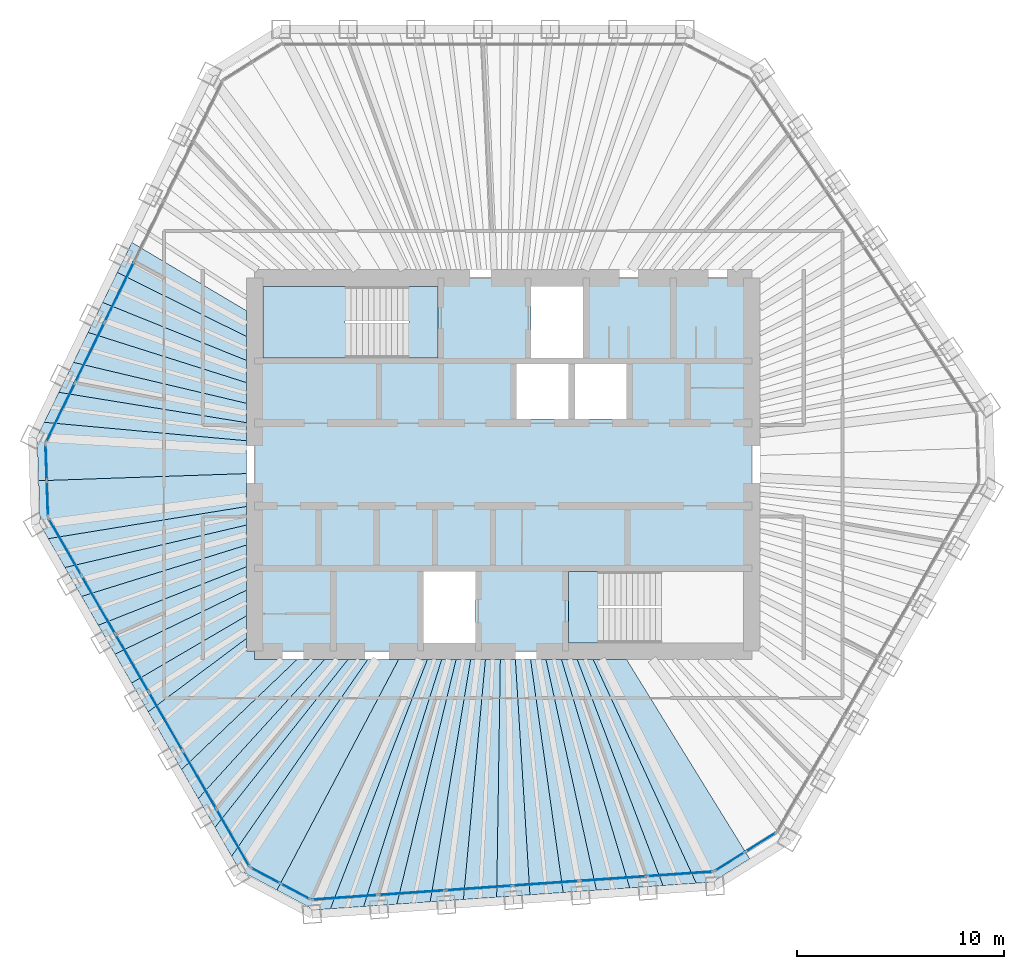
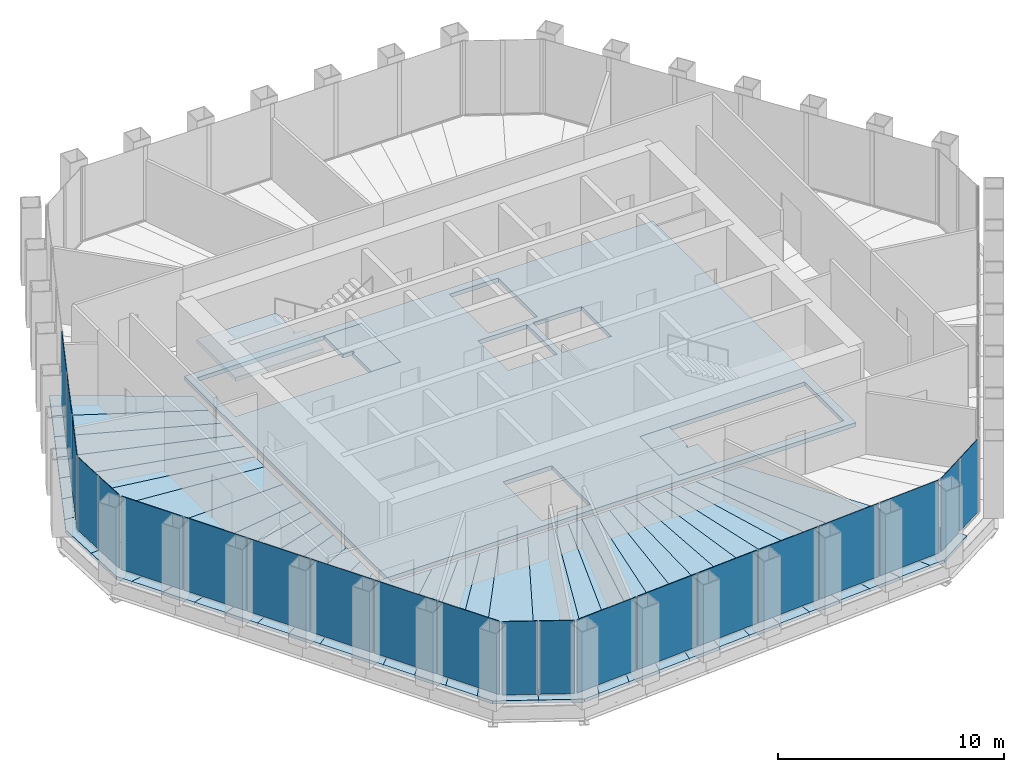
# One storey, part 9 of 14: 36 slabs, 21 plates, 8 elements without a shape of their own.
"""IFC4 building model written with IfcOpenShell, lengths in metres."""

from ifc_helpers import new_model, si_unit, direction, frame, origin, origin_2d, place, context, subcontext, project, spatial, polyline, rectangle, outline, extrude, material, layer, layer_set, type_object, element, aggregate, save


model = new_model("IFC4")

# Units and contexts
model_context = context("Model", 3, precision=1e-05, world=origin(), true_north=direction((0.0, 1.0)))
body_context = subcontext(model_context, "Body", "Model", "MODEL_VIEW")
ifc_project = project(units=[si_unit("LENGTHUNIT", "METRE"), si_unit("AREAUNIT", "SQUARE_METRE"), si_unit("VOLUMEUNIT", "CUBIC_METRE"), si_unit("PLANEANGLEUNIT", "RADIAN"), si_unit("MASSUNIT", "GRAM", prefix="KILO")], contexts=[model_context])

# Site, building, storey
site_placement = place(None, origin())
site = spatial("IfcSite", under=ifc_project, at=site_placement, CompositionType="ELEMENT")
building_placement = place(site_placement, origin())
building = spatial("IfcBuilding", under=site, at=building_placement, Name="Qingtian Harvest Tower", CompositionType="ELEMENT")
storey_placement = place(building_placement, frame((0.0, 0.0, 308.199951171875)))
storey = spatial("IfcBuildingStorey", under=building, at=storey_placement, Name="L68", CompositionType="ELEMENT", Elevation=308.199951171875)

# Slabs
ifc_material_1 = material(Name="Concrete fc' 35 MPa", Category="concrete")
ifc_layer_1 = layer(ifc_material_1, 0.169921875)
ifc_layer_set_1 = layer_set([ifc_layer_1], Name="Composite floor slab FS17 170")
slab_type_1 = type_object("IfcSlabType", Name="Composite floor slab FS17 170", PredefinedType="FLOOR", material=ifc_layer_set_1)
slab_1_placement = place(storey_placement, frame((0.0, 0.0, -0.169921875)))
element("IfcSlab", 1, at=slab_1_placement, inside=storey, type_object=slab_type_1, Name="Floor slab L68 panel D01", PredefinedType="FLOOR", context=body_context, shape_type="SweptSolid", body=[
    extrude(outline(polyline([(-22.422607421875, -0.783203125), (-12.39990234375, -0.436767578125), (-12.39990234375, -2.028564453125), (-21.95751953125, -3.578369140625), (-22.348876953125, -2.90087890625), (-22.422607421875, -0.783203125)])), origin(), (0.0, 0.0, 1.0), 0.169921875),
])
slab_2_placement = place(storey_placement, frame((0.0, 0.0, -0.169921875)))
element("IfcSlab", 2, at=slab_2_placement, inside=storey, type_object=slab_type_1, Name="Floor slab L68 panel D02", PredefinedType="FLOOR", context=body_context, shape_type="SweptSolid", body=[
    extrude(outline(polyline([(-12.39990234375, -2.923095703125), (-21.153076171875, -4.9716796875), (-21.95751953125, -3.578369140625), (-12.39990234375, -2.028564453125), (-12.39990234375, -2.923095703125)])), origin(), (0.0, 0.0, 1.0), 0.169921875),
])
slab_3_placement = place(storey_placement, frame((0.0, 0.0, -0.169921875)))
element("IfcSlab", 3, at=slab_3_placement, inside=storey, type_object=slab_type_1, Name="Floor slab L68 panel D03", PredefinedType="FLOOR", context=body_context, shape_type="SweptSolid", body=[
    extrude(outline(polyline([(-12.39990234375, -3.888427734375), (-20.3486328125, -6.365234375), (-21.153076171875, -4.9716796875), (-12.39990234375, -2.923095703125), (-12.39990234375, -3.888427734375)])), origin(), (0.0, 0.0, 1.0), 0.169921875),
])
slab_4_placement = place(storey_placement, frame((0.0, 0.0, -0.169921875)))
element("IfcSlab", 4, at=slab_4_placement, inside=storey, type_object=slab_type_1, Name="Floor slab L68 panel D04", PredefinedType="FLOOR", context=body_context, shape_type="SweptSolid", body=[
    extrude(outline(polyline([(-12.39990234375, -4.93359375), (-19.544189453125, -7.758544921875), (-20.3486328125, -6.365234375), (-12.39990234375, -3.888427734375), (-12.39990234375, -4.93359375)])), origin(), (0.0, 0.0, 1.0), 0.169921875),
])
slab_5_placement = place(storey_placement, frame((0.0, 0.0, -0.169921875)))
element("IfcSlab", 5, at=slab_5_placement, inside=storey, type_object=slab_type_1, Name="Floor slab L68 panel D05", PredefinedType="FLOOR", context=body_context, shape_type="SweptSolid", body=[
    extrude(outline(polyline([(-12.39990234375, -6.068359375), (-18.73974609375, -9.15185546875), (-19.544189453125, -7.758544921875), (-12.39990234375, -4.93359375), (-12.39990234375, -6.068359375)])), origin(), (0.0, 0.0, 1.0), 0.169921875),
])
slab_6_placement = place(storey_placement, frame((0.0, 0.0, -0.169921875)))
element("IfcSlab", 6, at=slab_6_placement, inside=storey, type_object=slab_type_1, Name="Floor slab L68 panel D06", PredefinedType="FLOOR", context=body_context, shape_type="SweptSolid", body=[
    extrude(outline(polyline([(-12.39990234375, -7.304931640625), (-17.93505859375, -10.54541015625), (-18.73974609375, -9.15185546875), (-12.39990234375, -6.068359375), (-12.39990234375, -7.304931640625)])), origin(), (0.0, 0.0, 1.0), 0.169921875),
])
slab_7_placement = place(storey_placement, frame((0.0, 0.0, -0.169921875)))
element("IfcSlab", 7, at=slab_7_placement, inside=storey, type_object=slab_type_1, Name="Floor slab L68 panel D07", PredefinedType="FLOOR", context=body_context, shape_type="SweptSolid", body=[
    extrude(outline(polyline([(-12.39990234375, -8.400390625), (-17.134033203125, -11.932861328125), (-17.93505859375, -10.54541015625), (-12.39990234375, -7.304931640625), (-12.39990234375, -8.400390625)])), origin(), (0.0, 0.0, 1.0), 0.169921875),
])
slab_8_placement = place(storey_placement, frame((0.0, 0.0, -0.169921875)))
element("IfcSlab", 8, at=slab_8_placement, inside=storey, type_object=slab_type_1, Name="Floor slab L68 panel D09", PredefinedType="FLOOR", context=body_context, shape_type="SweptSolid", body=[
    extrude(outline(polyline([(-15.522216796875, -14.724609375), (-17.134033203125, -11.932861328125), (-12.39990234375, -8.400390625), (-12.39990234375, -9.0), (-12.0, -9.0), (-12.0, -9.39990234375), (-9.943115234375, -9.39990234375), (-15.522216796875, -14.724609375)])), origin(), (0.0, 0.0, 1.0), 0.169921875),
])
slab_9_placement = place(storey_placement, frame((0.0, 0.0, -0.169921875)))
element("IfcSlab", 9, at=slab_9_placement, inside=storey, type_object=slab_type_1, Name="Floor slab L68 panel D10", PredefinedType="FLOOR", context=body_context, shape_type="SweptSolid", body=[
    extrude(outline(polyline([(-8.609130859375, -9.39990234375), (-14.7177734375, -16.1181640625), (-15.522216796875, -14.724609375), (-9.943115234375, -9.39990234375), (-8.609130859375, -9.39990234375)])), origin(), (0.0, 0.0, 1.0), 0.169921875),
])
slab_10_placement = place(storey_placement, frame((0.0, 0.0, -0.169921875)))
element("IfcSlab", 10, at=slab_10_placement, inside=storey, type_object=slab_type_1, Name="Floor slab L68 panel D11", PredefinedType="FLOOR", context=body_context, shape_type="SweptSolid", body=[
    extrude(outline(polyline([(-7.488525390625, -9.39990234375), (-13.9130859375, -17.51171875), (-14.7177734375, -16.1181640625), (-8.609130859375, -9.39990234375), (-7.488525390625, -9.39990234375)])), origin(), (0.0, 0.0, 1.0), 0.169921875),
])
slab_11_placement = place(storey_placement, frame((0.0, 0.0, -0.169921875)))
element("IfcSlab", 11, at=slab_11_placement, inside=storey, type_object=slab_type_1, Name="Floor slab L68 panel D12", PredefinedType="FLOOR", context=body_context, shape_type="SweptSolid", body=[
    extrude(outline(polyline([(-6.533935546875, -9.39990234375), (-13.108642578125, -18.905029296875), (-13.9130859375, -17.51171875), (-7.488525390625, -9.39990234375), (-6.533935546875, -9.39990234375)])), origin(), (0.0, 0.0, 1.0), 0.169921875),
])
slab_12_placement = place(storey_placement, frame((0.0, 0.0, -0.169921875)))
element("IfcSlab", 12, at=slab_12_placement, inside=storey, type_object=slab_type_1, Name="Floor slab L68 panel D13", PredefinedType="FLOOR", context=body_context, shape_type="SweptSolid", body=[
    extrude(outline(polyline([(-6.533935546875, -9.39990234375), (-5.04638671875, -9.39990234375), (-10.921142578125, -20.537841796875), (-12.717529296875, -19.582763671875), (-13.108642578125, -18.905029296875), (-6.533935546875, -9.39990234375)])), origin(), (0.0, 0.0, 1.0), 0.169921875),
])
slab_13_placement = place(storey_placement, frame((0.0, 0.0, -0.169921875)))
element("IfcSlab", 13, at=slab_13_placement, inside=storey, type_object=slab_type_1, Name="Floor slab L68 panel D14", PredefinedType="FLOOR", context=body_context, shape_type="SweptSolid", body=[
    extrude(outline(polyline([(-5.04638671875, -9.39990234375), (-3.656982421875, -9.39990234375), (-8.343017578125, -21.439208984375), (-9.123291015625, -21.49365234375), (-10.921142578125, -20.537841796875), (-5.04638671875, -9.39990234375)])), origin(), (0.0, 0.0, 1.0), 0.169921875),
])
slab_14_placement = place(storey_placement, frame((0.0, 0.0, -0.169921875)))
element("IfcSlab", 14, at=slab_14_placement, inside=storey, type_object=slab_type_1, Name="Floor slab L68 panel D15", PredefinedType="FLOOR", context=body_context, shape_type="SweptSolid", body=[
    extrude(outline(polyline([(-2.968994140625, -9.39990234375), (-6.738037109375, -21.326904296875), (-8.343017578125, -21.439208984375), (-3.656982421875, -9.39990234375), (-2.968994140625, -9.39990234375)])), origin(), (0.0, 0.0, 1.0), 0.169921875),
])
slab_15_placement = place(storey_placement, frame((0.0, 0.0, -0.169921875)))
element("IfcSlab", 15, at=slab_15_placement, inside=storey, type_object=slab_type_1, Name="Floor slab L68 panel D16", PredefinedType="FLOOR", context=body_context, shape_type="SweptSolid", body=[
    extrude(outline(polyline([(-2.2734375, -9.39990234375), (-5.133056640625, -21.21484375), (-6.738037109375, -21.326904296875), (-2.968994140625, -9.39990234375), (-2.2734375, -9.39990234375)])), origin(), (0.0, 0.0, 1.0), 0.169921875),
])
slab_16_placement = place(storey_placement, frame((0.0, 0.0, -0.169921875)))
element("IfcSlab", 16, at=slab_16_placement, inside=storey, type_object=slab_type_1, Name="Floor slab L68 panel D17", PredefinedType="FLOOR", context=body_context, shape_type="SweptSolid", body=[
    extrude(outline(polyline([(-1.570556640625, -9.39990234375), (-3.528076171875, -21.1025390625), (-5.133056640625, -21.21484375), (-2.2734375, -9.39990234375), (-1.570556640625, -9.39990234375)])), origin(), (0.0, 0.0, 1.0), 0.169921875),
])
slab_17_placement = place(storey_placement, frame((0.0, 0.0, -0.169921875)))
element("IfcSlab", 17, at=slab_17_placement, inside=storey, type_object=slab_type_1, Name="Floor slab L68 panel D18", PredefinedType="FLOOR", context=body_context, shape_type="SweptSolid", body=[
    extrude(outline(polyline([(-0.860107421875, -9.39990234375), (-1.9228515625, -20.990234375), (-3.528076171875, -21.1025390625), (-1.570556640625, -9.39990234375), (-0.860107421875, -9.39990234375)])), origin(), (0.0, 0.0, 1.0), 0.169921875),
])
slab_18_placement = place(storey_placement, frame((0.0, 0.0, -0.169921875)))
element("IfcSlab", 18, at=slab_18_placement, inside=storey, type_object=slab_type_1, Name="Floor slab L68 panel D19", PredefinedType="FLOOR", context=body_context, shape_type="SweptSolid", body=[
    extrude(outline(polyline([(-0.14208984375, -9.39990234375), (-0.31787109375, -20.8779296875), (-1.9228515625, -20.990234375), (-0.860107421875, -9.39990234375), (-0.14208984375, -9.39990234375)])), origin(), (0.0, 0.0, 1.0), 0.169921875),
])
slab_19_placement = place(storey_placement, frame((0.0, 0.0, -0.169921875)))
element("IfcSlab", 19, at=slab_19_placement, inside=storey, type_object=slab_type_1, Name="Floor slab L68 panel D20", PredefinedType="FLOOR", context=body_context, shape_type="SweptSolid", body=[
    extrude(outline(polyline([(0.58349609375, -9.39990234375), (1.287109375, -20.765869140625), (-0.31787109375, -20.8779296875), (-0.14208984375, -9.39990234375), (0.58349609375, -9.39990234375)])), origin(), (0.0, 0.0, 1.0), 0.169921875),
])
slab_20_placement = place(storey_placement, frame((0.0, 0.0, -0.169921875)))
element("IfcSlab", 20, at=slab_20_placement, inside=storey, type_object=slab_type_1, Name="Floor slab L68 panel D21", PredefinedType="FLOOR", context=body_context, shape_type="SweptSolid", body=[
    extrude(outline(polyline([(1.3173828125, -9.39990234375), (2.89208984375, -20.653564453125), (1.287109375, -20.765869140625), (0.58349609375, -9.39990234375), (1.3173828125, -9.39990234375)])), origin(), (0.0, 0.0, 1.0), 0.169921875),
])
slab_21_placement = place(storey_placement, frame((0.0, 0.0, -0.169921875)))
element("IfcSlab", 21, at=slab_21_placement, inside=storey, type_object=slab_type_1, Name="Floor slab L68 panel D22", PredefinedType="FLOOR", context=body_context, shape_type="SweptSolid", body=[
    extrude(outline(polyline([(2.058837890625, -9.39990234375), (4.4970703125, -20.541259765625), (2.89208984375, -20.653564453125), (1.3173828125, -9.39990234375), (2.058837890625, -9.39990234375)])), origin(), (0.0, 0.0, 1.0), 0.169921875),
])
slab_22_placement = place(storey_placement, frame((0.0, 0.0, -0.169921875)))
element("IfcSlab", 22, at=slab_22_placement, inside=storey, type_object=slab_type_1, Name="Floor slab L68 panel D23", PredefinedType="FLOOR", context=body_context, shape_type="SweptSolid", body=[
    extrude(outline(polyline([(2.808837890625, -9.39990234375), (6.10205078125, -20.42919921875), (4.4970703125, -20.541259765625), (2.058837890625, -9.39990234375), (2.808837890625, -9.39990234375)])), origin(), (0.0, 0.0, 1.0), 0.169921875),
])
slab_23_placement = place(storey_placement, frame((0.0, 0.0, -0.169921875)))
element("IfcSlab", 23, at=slab_23_placement, inside=storey, type_object=slab_type_1, Name="Floor slab L68 panel D24", PredefinedType="FLOOR", context=body_context, shape_type="SweptSolid", body=[
    extrude(outline(polyline([(3.56689453125, -9.39990234375), (7.70703125, -20.31689453125), (6.10205078125, -20.42919921875), (2.808837890625, -9.39990234375), (3.56689453125, -9.39990234375)])), origin(), (0.0, 0.0, 1.0), 0.169921875),
])
slab_24_placement = place(storey_placement, frame((0.0, 0.0, -0.169921875)))
element("IfcSlab", 24, at=slab_24_placement, inside=storey, type_object=slab_type_1, Name="Floor slab L68 panel D25", PredefinedType="FLOOR", context=body_context, shape_type="SweptSolid", body=[
    extrude(outline(polyline([(4.33349609375, -9.39990234375), (9.312255859375, -20.20458984375), (7.70703125, -20.31689453125), (3.56689453125, -9.39990234375), (4.33349609375, -9.39990234375)])), origin(), (0.0, 0.0, 1.0), 0.169921875),
])
slab_25_placement = place(storey_placement, frame((0.0, 0.0, -0.169921875)))
element("IfcSlab", 25, at=slab_25_placement, inside=storey, type_object=slab_type_1, Name="Floor slab L68 panel D26", PredefinedType="FLOOR", context=body_context, shape_type="SweptSolid", body=[
    extrude(outline(polyline([(4.33349609375, -9.39990234375), (5.945556640625, -9.39990234375), (11.890380859375, -19.026611328125), (10.09228515625, -20.150146484375), (9.312255859375, -20.20458984375), (4.33349609375, -9.39990234375)])), origin(), (0.0, 0.0, 1.0), 0.169921875),
])
slab_26_placement = place(storey_placement, frame((0.0, 0.0, -0.169921875)))
element("IfcSlab", 26, at=slab_26_placement, inside=storey, type_object=slab_type_1, Name="Floor slab L68 panel D72", PredefinedType="FLOOR", context=body_context, shape_type="SweptSolid", body=[
    extrude(outline(polyline([(-12.39990234375, 6.18115234375), (-18.627197265625, 9.2685546875), (-17.921875, 10.714599609375), (-12.39990234375, 7.42578125), (-12.39990234375, 6.18115234375)])), origin(), (0.0, 0.0, 1.0), 0.169921875),
])
slab_27_placement = place(storey_placement, frame((0.0, 0.0, -0.169921875)))
element("IfcSlab", 27, at=slab_27_placement, inside=storey, type_object=slab_type_1, Name="Floor slab L68 panel D73", PredefinedType="FLOOR", context=body_context, shape_type="SweptSolid", body=[
    extrude(outline(polyline([(-12.39990234375, 5.02734375), (-19.33251953125, 7.822509765625), (-18.627197265625, 9.2685546875), (-12.39990234375, 6.18115234375), (-12.39990234375, 5.02734375)])), origin(), (0.0, 0.0, 1.0), 0.169921875),
])
slab_28_placement = place(storey_placement, frame((0.0, 0.0, -0.169921875)))
element("IfcSlab", 28, at=slab_28_placement, inside=storey, type_object=slab_type_1, Name="Floor slab L68 panel D74", PredefinedType="FLOOR", context=body_context, shape_type="SweptSolid", body=[
    extrude(outline(polyline([(-12.39990234375, 3.954833984375), (-20.037841796875, 6.376220703125), (-19.33251953125, 7.822509765625), (-12.39990234375, 5.02734375), (-12.39990234375, 3.954833984375)])), origin(), (0.0, 0.0, 1.0), 0.169921875),
])
slab_29_placement = place(storey_placement, frame((0.0, 0.0, -0.169921875)))
element("IfcSlab", 29, at=slab_29_placement, inside=storey, type_object=slab_type_1, Name="Floor slab L68 panel D75", PredefinedType="FLOOR", context=body_context, shape_type="SweptSolid", body=[
    extrude(outline(polyline([(-12.39990234375, 2.955322265625), (-20.7431640625, 4.93017578125), (-20.037841796875, 6.376220703125), (-12.39990234375, 3.954833984375), (-12.39990234375, 2.955322265625)])), origin(), (0.0, 0.0, 1.0), 0.169921875),
])
slab_30_placement = place(storey_placement, frame((0.0, 0.0, -0.169921875)))
element("IfcSlab", 30, at=slab_30_placement, inside=storey, type_object=slab_type_1, Name="Floor slab L68 panel D76", PredefinedType="FLOOR", context=body_context, shape_type="SweptSolid", body=[
    extrude(outline(polyline([(-12.39990234375, 2.021484375), (-21.448486328125, 3.484130859375), (-20.7431640625, 4.93017578125), (-12.39990234375, 2.955322265625), (-12.39990234375, 2.021484375)])), origin(), (0.0, 0.0, 1.0), 0.169921875),
])
slab_31_placement = place(storey_placement, frame((0.0, 0.0, -0.169921875)))
element("IfcSlab", 31, at=slab_31_placement, inside=storey, type_object=slab_type_1, Name="Floor slab L68 panel D77", PredefinedType="FLOOR", context=body_context, shape_type="SweptSolid", body=[
    extrude(outline(polyline([(-12.39990234375, 1.147216796875), (-22.15380859375, 2.037841796875), (-21.448486328125, 3.484130859375), (-12.39990234375, 2.021484375), (-12.39990234375, 1.147216796875)])), origin(), (0.0, 0.0, 1.0), 0.169921875),
])
slab_32_placement = place(storey_placement, frame((0.0, 0.0, -0.169921875)))
element("IfcSlab", 32, at=slab_32_placement, inside=storey, type_object=slab_type_1, Name="Floor slab L68 panel D78", PredefinedType="FLOOR", context=body_context, shape_type="SweptSolid", body=[
    extrude(outline(polyline([(-12.39990234375, 1.147216796875), (-12.39990234375, -0.436767578125), (-22.422607421875, -0.783203125), (-22.49658203125, 1.334716796875), (-22.15380859375, 2.037841796875), (-12.39990234375, 1.147216796875)])), origin(), (0.0, 0.0, 1.0), 0.169921875),
])
ifc_material_2 = material(Name="Concrete fc' 35 MPa", Category="concrete")
ifc_layer_2 = layer(ifc_material_2, 0.219970703125)
ifc_layer_set_2 = layer_set([ifc_layer_2], Name="Core floor slab CS22 220")
slab_type_2 = type_object("IfcSlabType", Name="Core floor slab CS22 220", PredefinedType="FLOOR", material=ifc_layer_set_2)
slab_33_placement = place(storey_placement, frame((0.0, 0.0, -0.219970703125)))
element("IfcSlab", 33, at=slab_33_placement, inside=storey, type_object=slab_type_2, Name="Core floor slab L68", PredefinedType="FLOOR", context=body_context, shape_type="SweptSolid", body=[
    extrude(outline(polyline([(-12.0, -9.0), (12.0, -9.0), (12.0, 9.0), (-12.0, 9.0), (-12.0, -9.0)]), holes=[polyline([(-11.60009765625, 5.14990234375), (-3.14990234375, 5.14990234375), (-3.14990234375, 8.60009765625), (-11.60009765625, 8.60009765625), (-11.60009765625, 5.14990234375)]), polyline([(3.14990234375, -8.60009765625), (11.60009765625, -8.60009765625), (11.60009765625, -5.14990234375), (3.14990234375, -5.14990234375), (3.14990234375, -8.60009765625)]), polyline([(1.35009765625, 5.14990234375), (3.85009765625, 5.14990234375), (3.85009765625, 8.60009765625), (1.35009765625, 8.60009765625), (1.35009765625, 5.14990234375)]), polyline([(-3.85009765625, -8.60009765625), (-1.35009765625, -8.60009765625), (-1.35009765625, -5.14990234375), (-3.85009765625, -5.14990234375), (-3.85009765625, -8.60009765625)]), polyline([(0.64990234375, 2.199951171875), (3.14990234375, 2.199951171875), (3.14990234375, 4.85009765625), (0.64990234375, 4.85009765625), (0.64990234375, 2.199951171875)]), polyline([(3.449951171875, 2.199951171875), (5.949951171875, 2.199951171875), (5.949951171875, 4.85009765625), (3.449951171875, 4.85009765625), (3.449951171875, 2.199951171875)])]), origin(), (0.0, 0.0, 1.0), 0.219970703125),
])

# Curtain wall, plates
ifc_material_3 = material(Name="Bronze-anodised aluminium curtain wall", Category="aluminium")
curtain_wall_type = type_object("IfcCurtainWallType", Name="Curtain wall CW5 upper office", PredefinedType="USERDEFINED", material=ifc_material_3)
curtain_wall_1_placement = place(storey_placement, origin())
curtain_wall_1 = element("IfcCurtainWall", 34, at=curtain_wall_1_placement, inside=storey, type_object=curtain_wall_type, Name="Curtain wall CW5 L68 SEC", ObjectType="RECESSED CURTAIN WALL", PredefinedType="USERDEFINED")
ifc_material_4 = material(Name="Bronze-tinted laminated insulating glass", Category="glass")
ifc_layer_3 = layer(ifc_material_4, 0.030029296875)
ifc_layer_set_3 = layer_set([ifc_layer_3], Name="Glazed panel CWP tinted IGU")
plate_type = type_object("IfcPlateType", Name="Glazed panel CWP tinted IGU", PredefinedType="CURTAIN_PANEL", material=ifc_layer_set_3)
plate_1_placement = place(storey_placement, frame((12.42431640625, -18.224609375, 0.06494140625), z_axis=(0.0, 0.0, 1.0), x_axis=(-0.848048096156, -0.529919264233, 0.0)))
plate_1 = element("IfcPlate", 35, at=plate_1_placement, type_object=plate_type, Name="CW5 panel 1.1", PredefinedType="CURTAIN_PANEL", context=body_context, shape_type="SweptSolid", body=[
    extrude(rectangle(XDim=1.69287109375, YDim=0.030029296875, at=origin_2d()), origin(), (0.0, 0.0, 1.0), 3.965087890625),
])
plate_2_placement = place(storey_placement, frame((10.93359375, -19.156005859375, 0.06494140625), z_axis=(0.0, 0.0, 1.0), x_axis=(-0.848048096156, -0.529919264233, 0.0)))
plate_2 = element("IfcPlate", 36, at=plate_2_placement, type_object=plate_type, Name="CW5 panel 2.1", PredefinedType="CURTAIN_PANEL", context=body_context, shape_type="SweptSolid", body=[
    extrude(rectangle(XDim=1.69287109375, YDim=0.030029296875, at=origin_2d()), origin(), (0.0, 0.0, 1.0), 3.965087890625),
])
aggregate(curtain_wall_1, [plate_1, plate_2])

curtain_wall_2_placement = place(storey_placement, origin())
curtain_wall_2 = element("IfcCurtainWall", 37, at=curtain_wall_2_placement, inside=storey, type_object=curtain_wall_type, Name="Curtain wall CW5 L68 S0-5", ObjectType="RECESSED CURTAIN WALL", PredefinedType="USERDEFINED")
plate_3_placement = place(storey_placement, frame((8.5244140625, -19.75341796875, 0.06494140625), z_axis=(0.0, 0.0, 1.0), x_axis=(-0.99756405026, -0.069756473744, 0.0)))
plate_3 = element("IfcPlate", 38, at=plate_3_placement, type_object=plate_type, Name="CW5 panel 1.1", PredefinedType="CURTAIN_PANEL", context=body_context, shape_type="SweptSolid", body=[
    extrude(rectangle(XDim=3.150634765625, YDim=0.030029296875, at=origin_2d()), origin(), (0.0, 0.0, 1.0), 3.965087890625),
])
plate_4_placement = place(storey_placement, frame((5.300537109375, -19.97900390625, 0.06494140625), z_axis=(0.0, 0.0, 1.0), x_axis=(-0.99756405026, -0.069756473744, 0.0)))
plate_4 = element("IfcPlate", 39, at=plate_4_placement, type_object=plate_type, Name="CW5 panel 2.1", PredefinedType="CURTAIN_PANEL", context=body_context, shape_type="SweptSolid", body=[
    extrude(rectangle(XDim=3.18310546875, YDim=0.030029296875, at=origin_2d()), origin(), (0.0, 0.0, 1.0), 3.965087890625),
])
plate_5_placement = place(storey_placement, frame((2.060302734375, -20.20556640625, 0.06494140625), z_axis=(0.0, 0.0, 1.0), x_axis=(-0.99756405026, -0.069756473744, 0.0)))
plate_5 = element("IfcPlate", 40, at=plate_5_placement, type_object=plate_type, Name="CW5 panel 3.1", PredefinedType="CURTAIN_PANEL", context=body_context, shape_type="SweptSolid", body=[
    extrude(rectangle(XDim=3.18310546875, YDim=0.030029296875, at=origin_2d()), origin(), (0.0, 0.0, 1.0), 3.965087890625),
])
plate_6_placement = place(storey_placement, frame((-1.1796875, -20.43212890625, 0.06494140625), z_axis=(0.0, 0.0, 1.0), x_axis=(-0.99756405026, -0.069756473744, 0.0)))
plate_6 = element("IfcPlate", 41, at=plate_6_placement, type_object=plate_type, Name="CW5 panel 4.1", PredefinedType="CURTAIN_PANEL", context=body_context, shape_type="SweptSolid", body=[
    extrude(rectangle(XDim=3.18310546875, YDim=0.030029296875, at=origin_2d()), origin(), (0.0, 0.0, 1.0), 3.965087890625),
])
plate_7_placement = place(storey_placement, frame((-4.419921875, -20.65869140625, 0.06494140625), z_axis=(0.0, 0.0, 1.0), x_axis=(-0.99756405026, -0.069756473744, 0.0)))
plate_7 = element("IfcPlate", 42, at=plate_7_placement, type_object=plate_type, Name="CW5 panel 5.1", PredefinedType="CURTAIN_PANEL", context=body_context, shape_type="SweptSolid", body=[
    extrude(rectangle(XDim=3.18310546875, YDim=0.030029296875, at=origin_2d()), origin(), (0.0, 0.0, 1.0), 3.965087890625),
])
plate_8_placement = place(storey_placement, frame((-7.643798828125, -20.884033203125, 0.06494140625), z_axis=(0.0, 0.0, 1.0), x_axis=(-0.99756405026, -0.069756473744, 0.0)))
plate_8 = element("IfcPlate", 43, at=plate_8_placement, type_object=plate_type, Name="CW5 panel 6.1", PredefinedType="CURTAIN_PANEL", context=body_context, shape_type="SweptSolid", body=[
    extrude(rectangle(XDim=3.150634765625, YDim=0.030029296875, at=origin_2d()), origin(), (0.0, 0.0, 1.0), 3.965087890625),
])
aggregate(curtain_wall_2, [plate_3, plate_4, plate_5, plate_6, plate_7, plate_8])

curtain_wall_3_placement = place(storey_placement, origin())
curtain_wall_3 = element("IfcCurtainWall", 44, at=curtain_wall_3_placement, inside=storey, type_object=curtain_wall_type, Name="Curtain wall CW5 L68 SC", ObjectType="RECESSED CURTAIN WALL", PredefinedType="USERDEFINED")
plate_9_placement = place(storey_placement, frame((-10.029296875, -20.60009765625, 0.06494140625), z_axis=(0.0, 0.0, 1.0), x_axis=(-0.882947592859, 0.469471562786, 0.0)))
plate_9 = element("IfcPlate", 45, at=plate_9_placement, type_object=plate_type, Name="CW5 panel 1.1", PredefinedType="CURTAIN_PANEL", context=body_context, shape_type="SweptSolid", body=[
    extrude(rectangle(XDim=1.56689453125, YDim=0.030029296875, at=origin_2d()), origin(), (0.0, 0.0, 1.0), 3.965087890625),
])
plate_10_placement = place(storey_placement, frame((-11.469970703125, -19.833984375, 0.06494140625), z_axis=(0.0, 0.0, 1.0), x_axis=(-0.882947592859, 0.469471562786, 0.0)))
plate_10 = element("IfcPlate", 46, at=plate_10_placement, type_object=plate_type, Name="CW5 panel 2.1", PredefinedType="CURTAIN_PANEL", context=body_context, shape_type="SweptSolid", body=[
    extrude(rectangle(XDim=1.56689453125, YDim=0.030029296875, at=origin_2d()), origin(), (0.0, 0.0, 1.0), 3.965087890625),
])
aggregate(curtain_wall_3, [plate_9, plate_10])

curtain_wall_4_placement = place(storey_placement, origin())
curtain_wall_4 = element("IfcCurtainWall", 47, at=curtain_wall_4_placement, inside=storey, type_object=curtain_wall_type, Name="Curtain wall CW5 L68 SW0-5", ObjectType="RECESSED CURTAIN WALL", PredefinedType="USERDEFINED")
plate_11_placement = place(storey_placement, frame((-13.039306640625, -18.01513671875, 0.06494140625), z_axis=(0.0, 0.0, 1.0), x_axis=(-0.5, 0.866025403784, 0.0)))
plate_11 = element("IfcPlate", 48, at=plate_11_placement, type_object=plate_type, Name="CW5 panel 1.1", PredefinedType="CURTAIN_PANEL", context=body_context, shape_type="SweptSolid", body=[
    extrude(rectangle(XDim=3.150634765625, YDim=0.030029296875, at=origin_2d()), origin(), (0.0, 0.0, 1.0), 3.965087890625),
])
plate_12_placement = place(storey_placement, frame((-14.6552734375, -15.216552734375, 0.06494140625), z_axis=(0.0, 0.0, 1.0), x_axis=(-0.5, 0.866025403784, 0.0)))
plate_12 = element("IfcPlate", 49, at=plate_12_placement, type_object=plate_type, Name="CW5 panel 2.1", PredefinedType="CURTAIN_PANEL", context=body_context, shape_type="SweptSolid", body=[
    extrude(rectangle(XDim=3.18310546875, YDim=0.030029296875, at=origin_2d()), origin(), (0.0, 0.0, 1.0), 3.965087890625),
])
plate_13_placement = place(storey_placement, frame((-16.279296875, -12.403564453125, 0.06494140625), z_axis=(0.0, 0.0, 1.0), x_axis=(-0.5, 0.866025403784, 0.0)))
plate_13 = element("IfcPlate", 50, at=plate_13_placement, type_object=plate_type, Name="CW5 panel 3.1", PredefinedType="CURTAIN_PANEL", context=body_context, shape_type="SweptSolid", body=[
    extrude(rectangle(XDim=3.18310546875, YDim=0.030029296875, at=origin_2d()), origin(), (0.0, 0.0, 1.0), 3.965087890625),
])
plate_14_placement = place(storey_placement, frame((-17.9033203125, -9.590576171875, 0.06494140625), z_axis=(0.0, 0.0, 1.0), x_axis=(-0.5, 0.866025403784, 0.0)))
plate_14 = element("IfcPlate", 51, at=plate_14_placement, type_object=plate_type, Name="CW5 panel 4.1", PredefinedType="CURTAIN_PANEL", context=body_context, shape_type="SweptSolid", body=[
    extrude(rectangle(XDim=3.18310546875, YDim=0.030029296875, at=origin_2d()), origin(), (0.0, 0.0, 1.0), 3.965087890625),
])
plate_15_placement = place(storey_placement, frame((-19.52734375, -6.77783203125, 0.06494140625), z_axis=(0.0, 0.0, 1.0), x_axis=(-0.5, 0.866025403784, 0.0)))
plate_15 = element("IfcPlate", 52, at=plate_15_placement, type_object=plate_type, Name="CW5 panel 5.1", PredefinedType="CURTAIN_PANEL", context=body_context, shape_type="SweptSolid", body=[
    extrude(rectangle(XDim=3.18310546875, YDim=0.030029296875, at=origin_2d()), origin(), (0.0, 0.0, 1.0), 3.965087890625),
])
plate_16_placement = place(storey_placement, frame((-21.14306640625, -3.97900390625, 0.06494140625), z_axis=(0.0, 0.0, 1.0), x_axis=(-0.5, 0.866025403784, 0.0)))
plate_16 = element("IfcPlate", 53, at=plate_16_placement, type_object=plate_type, Name="CW5 panel 6.1", PredefinedType="CURTAIN_PANEL", context=body_context, shape_type="SweptSolid", body=[
    extrude(rectangle(XDim=3.150634765625, YDim=0.030029296875, at=origin_2d()), origin(), (0.0, 0.0, 1.0), 3.965087890625),
])
aggregate(curtain_wall_4, [plate_11, plate_12, plate_13, plate_14, plate_15, plate_16])

curtain_wall_5_placement = place(storey_placement, origin())
curtain_wall_5 = element("IfcCurtainWall", 54, at=curtain_wall_5_placement, inside=storey, type_object=curtain_wall_type, Name="Curtain wall CW5 L68 SWC", ObjectType="RECESSED CURTAIN WALL", PredefinedType="USERDEFINED")
plate_17_placement = place(storey_placement, frame((-21.9951171875, -1.647705078125, 0.06494140625), z_axis=(0.0, 0.0, 1.0), x_axis=(-0.034899496703, 0.999390827019, 0.0)))
plate_17 = element("IfcPlate", 55, at=plate_17_placement, type_object=plate_type, Name="CW5 panel 1.1", PredefinedType="CURTAIN_PANEL", context=body_context, shape_type="SweptSolid", body=[
    extrude(rectangle(XDim=1.69287109375, YDim=0.030029296875, at=origin_2d()), origin(), (0.0, 0.0, 1.0), 3.965087890625),
])
plate_18_placement = place(storey_placement, frame((-22.056396484375, 0.109375, 0.06494140625), z_axis=(0.0, 0.0, 1.0), x_axis=(-0.034899496703, 0.999390827019, 0.0)))
plate_18 = element("IfcPlate", 56, at=plate_18_placement, type_object=plate_type, Name="CW5 panel 2.1", PredefinedType="CURTAIN_PANEL", context=body_context, shape_type="SweptSolid", body=[
    extrude(rectangle(XDim=1.69287109375, YDim=0.030029296875, at=origin_2d()), origin(), (0.0, 0.0, 1.0), 3.965087890625),
])
aggregate(curtain_wall_5, [plate_17, plate_18])

curtain_wall_6_placement = place(storey_placement, origin())
curtain_wall_6 = element("IfcCurtainWall", 57, at=curtain_wall_6_placement, inside=storey, type_object=curtain_wall_type, Name="Curtain wall CW5 L68 NW0-5", ObjectType="RECESSED CURTAIN WALL", PredefinedType="USERDEFINED")
plate_19_placement = place(storey_placement, frame((-21.369140625, 2.494384765625, 0.06494140625), z_axis=(0.0, 0.0, 1.0), x_axis=(0.438371146789, 0.898794046299, 0.0)))
plate_19 = element("IfcPlate", 58, at=plate_19_placement, type_object=plate_type, Name="CW5 panel 1.1", PredefinedType="CURTAIN_PANEL", context=body_context, shape_type="SweptSolid", body=[
    extrude(rectangle(XDim=3.150634765625, YDim=0.030029296875, at=origin_2d()), origin(), (0.0, 0.0, 1.0), 3.965087890625),
])
plate_20_placement = place(storey_placement, frame((-19.952392578125, 5.399169921875, 0.06494140625), z_axis=(0.0, 0.0, 1.0), x_axis=(0.438371146789, 0.898794046299, 0.0)))
plate_20 = element("IfcPlate", 59, at=plate_20_placement, type_object=plate_type, Name="CW5 panel 2.1", PredefinedType="CURTAIN_PANEL", context=body_context, shape_type="SweptSolid", body=[
    extrude(rectangle(XDim=3.18310546875, YDim=0.030029296875, at=origin_2d()), origin(), (0.0, 0.0, 1.0), 3.965087890625),
])
plate_21_placement = place(storey_placement, frame((-18.528564453125, 8.318359375, 0.06494140625), z_axis=(0.0, 0.0, 1.0), x_axis=(0.438371146789, 0.898794046299, 0.0)))
plate_21 = element("IfcPlate", 60, at=plate_21_placement, type_object=plate_type, Name="CW5 panel 3.1", PredefinedType="CURTAIN_PANEL", context=body_context, shape_type="SweptSolid", body=[
    extrude(rectangle(XDim=3.18310546875, YDim=0.030029296875, at=origin_2d()), origin(), (0.0, 0.0, 1.0), 3.965087890625),
])
aggregate(curtain_wall_6, [plate_19, plate_20, plate_21])

# Stair, slabs
ifc_material_5 = material(Name="Concrete fc' 35 MPa", Category="concrete")
stair_type = type_object("IfcStairType", Name="Special stair ST7 4200", PredefinedType="HALF_TURN_STAIR", material=ifc_material_5)
stair_1_placement = place(storey_placement, origin())
stair_1 = element("IfcStair", 61, at=stair_1_placement, inside=storey, type_object=stair_type, Name="Special stair S1 L68", PredefinedType="HALF_TURN_STAIR")
ifc_material_6 = material(Name="Concrete fc' 35 MPa", Category="concrete")
ifc_layer_4 = layer(ifc_material_6, 0.199951171875)
ifc_layer_set_4 = layer_set([ifc_layer_4], Name="Stair landing SL2 200")
slab_type_3 = type_object("IfcSlabType", Name="Stair landing SL2 200", PredefinedType="LANDING", material=ifc_layer_set_4)
slab_34_placement = place(storey_placement, frame((0.0, 0.0, -0.199951171875)))
slab_34 = element("IfcSlab", 62, at=slab_34_placement, type_object=slab_type_3, Name="S1 landing 1", PredefinedType="LANDING", context=body_context, shape_type="SweptSolid", body=[
    extrude(outline(polyline([(-4.64990234375, 5.14990234375), (-4.64990234375, 6.824951171875), (-4.550048828125, 6.824951171875), (-4.550048828125, 6.925048828125), (-5.0849609375, 6.925048828125), (-5.0849609375, 8.60009765625), (-3.14990234375, 8.60009765625), (-3.14990234375, 5.14990234375), (-4.64990234375, 5.14990234375)])), origin(), (0.0, 0.0, 1.0), 0.199951171875),
])
slab_35_placement = place(storey_placement, frame((0.0, 0.0, 1.900146484375)))
slab_35 = element("IfcSlab", 63, at=slab_35_placement, type_object=slab_type_3, Name="S1 landing 2", PredefinedType="LANDING", context=body_context, shape_type="SweptSolid", body=[
    extrude(outline(polyline([(-7.094970703125, 5.14990234375), (-11.60009765625, 5.14990234375), (-11.60009765625, 8.60009765625), (-7.530029296875, 8.60009765625), (-7.530029296875, 6.925048828125), (-7.6298828125, 6.925048828125), (-7.6298828125, 6.824951171875), (-7.094970703125, 6.824951171875), (-7.094970703125, 5.14990234375)])), origin(), (0.0, 0.0, 1.0), 0.199951171875),
])
aggregate(stair_1, [slab_34, slab_35])

# Stair, slab
stair_2_placement = place(storey_placement, origin())
stair_2 = element("IfcStair", 64, at=stair_2_placement, inside=storey, type_object=stair_type, Name="Special stair S2 L68", PredefinedType="HALF_TURN_STAIR")
slab_36_placement = place(storey_placement, frame((0.0, 0.0, -0.199951171875)))
slab_36 = element("IfcSlab", 65, at=slab_36_placement, type_object=slab_type_3, Name="S2 landing 1", PredefinedType="LANDING", context=body_context, shape_type="SweptSolid", body=[
    extrude(outline(polyline([(5.0849609375, -8.60009765625), (3.14990234375, -8.60009765625), (3.14990234375, -5.14990234375), (4.64990234375, -5.14990234375), (4.64990234375, -6.824951171875), (4.550048828125, -6.824951171875), (4.550048828125, -6.925048828125), (5.0849609375, -6.925048828125), (5.0849609375, -8.60009765625)])), origin(), (0.0, 0.0, 1.0), 0.199951171875),
])
aggregate(stair_2, [slab_36])

save(model, "model.ifc")
